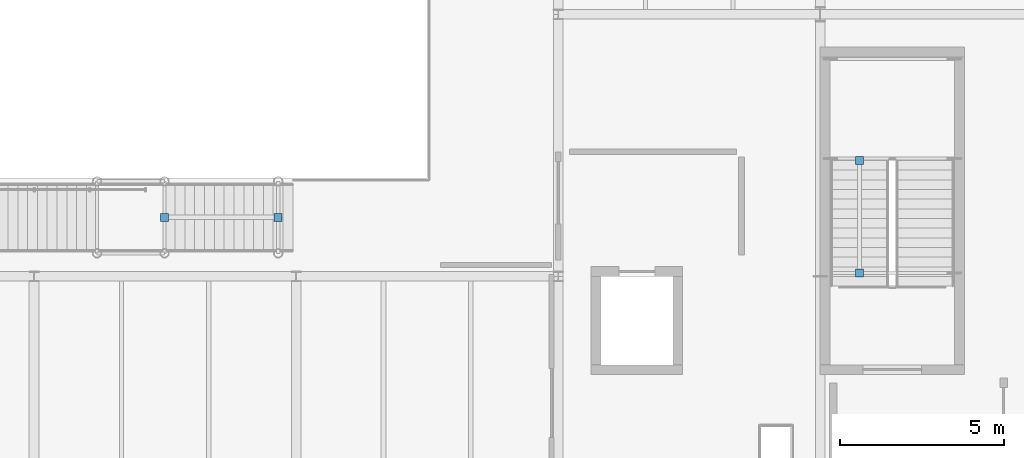
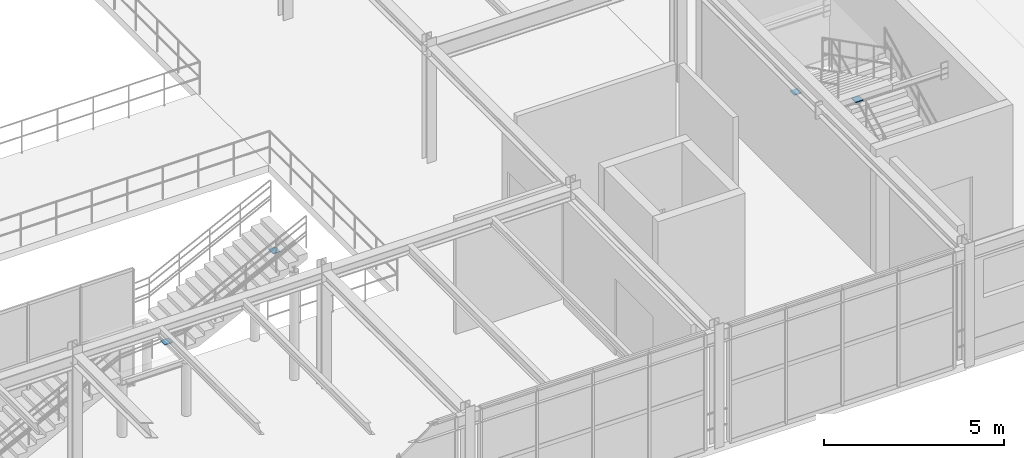
# One storey, part 109 of 124: 4 discrete accessories.
"""IFC4 building model written with IfcOpenShell, lengths in metres."""

from ifc_helpers import new_model, si_unit, direction, frame, origin, origin_2d, place, context, subcontext, project, spatial, rectangle, extrude, material, type_object, element, save


model = new_model("IFC4")

# Units and contexts
model_context = context("Model", 3, precision=1e-05, world=origin(), true_north=direction((0.0, 1.0)))
body_context = subcontext(model_context, "Body", "Model", "MODEL_VIEW")
ifc_project = project(units=[si_unit("LENGTHUNIT", "METRE"), si_unit("AREAUNIT", "SQUARE_METRE"), si_unit("VOLUMEUNIT", "CUBIC_METRE"), si_unit("PLANEANGLEUNIT", "RADIAN"), si_unit("MASSUNIT", "GRAM", prefix="KILO")], contexts=[model_context])

# Site, building, storey
site_placement = place(None, origin())
site = spatial("IfcSite", under=ifc_project, at=site_placement, CompositionType="ELEMENT")
building_placement = place(site_placement, origin())
building = spatial("IfcBuilding", under=site, at=building_placement, Name="Sundkrona Museum", CompositionType="ELEMENT")
storey_placement = place(building_placement, frame((0.0, 0.0, 17.60009765625)))
storey = spatial("IfcBuildingStorey", under=building, at=storey_placement, Name="L03", CompositionType="ELEMENT", Elevation=17.60009765625)

# Discrete accessories
ifc_material = material(Name="Stainless Steel EN 1.4404 Cleat", Category="steel")
discrete_accessory_type = type_object("IfcDiscreteAccessoryType", Name="BRK-FIN-01", PredefinedType="BRACKET", material=ifc_material)
for number, where, z_axis, x_axis, name in (
    (1, (121.199951171875, 11.534912109375, 1.767333984375), (0.0, 0.0, 1.0), (1.0, 0.0, 0.0), "Brace and Strut End Connection Plate RK-ST-ST-2-L03-2-1"),
    (2, (121.199951171875, 8.10009765625, 3.600830078125), (0.0, 0.0, 1.0), (1.0, 0.0, 0.0), "Brace and Strut End Connection Plate RK-ST-ST-2-L03-2-2"),
    (3, (99.97998046875, 9.800048828125, 1.767333984375), (0.0, 0.0, 1.0), (1.0, 0.0, 0.0), "Brace and Strut End Connection Plate RK-FS-4-FL2-1"),
    (4, (103.449951171875, 9.800048828125, 3.6474609375), (0.0, 0.0, 1.0), (1.0, 0.0, 0.0), "Brace and Strut End Connection Plate RK-FS-4-FL2-2"),
):
    element("IfcDiscreteAccessory", number, at=place(storey_placement, frame(where, z_axis=z_axis, x_axis=x_axis)), inside=storey, type_object=discrete_accessory_type, Name=name, PredefinedType="BRACKET", context=body_context, shape_type="SweptSolid", body=[
        extrude(rectangle(XDim=0.239990234375, YDim=0.239990234375, at=origin_2d()), origin(), (0.0, 0.0, 1.0), 0.02490234375),
    ])

save(model, "model.ifc")
